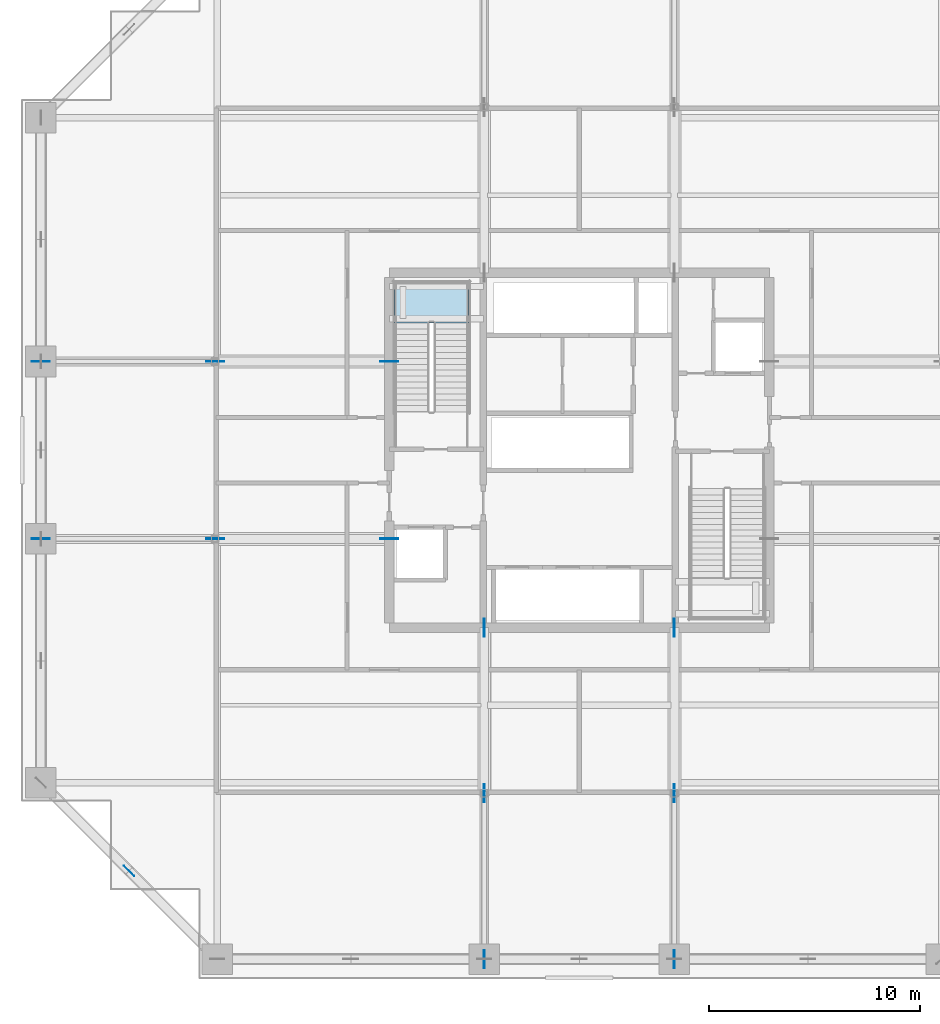
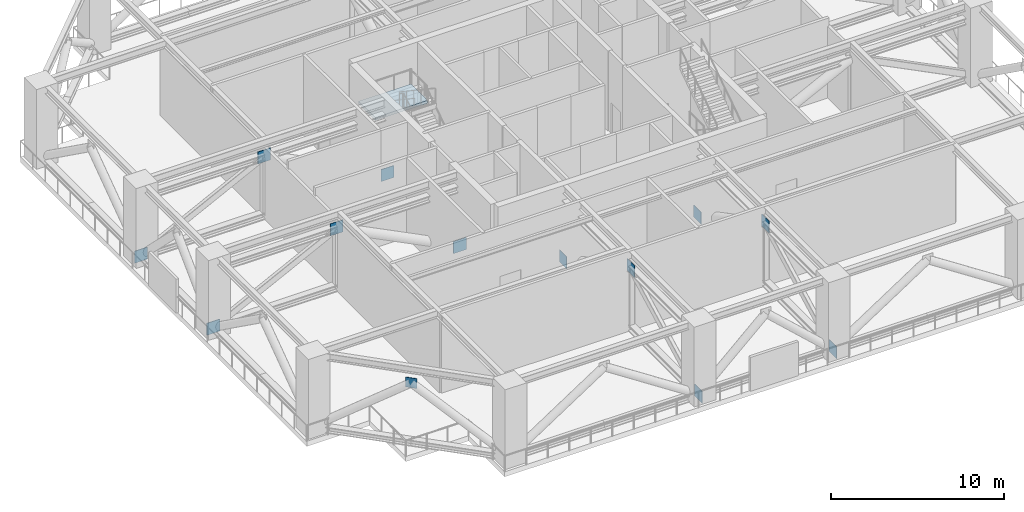
# One storey, part 6 of 21: 13 plates, 1 slab, 1 element without a shape of its own.
"""IFC4 building model written with IfcOpenShell, lengths in metres."""

from ifc_helpers import new_model, si_unit, direction, frame, origin, origin_2d, place, context, subcontext, project, spatial, polyline, rectangle, outline, extrude, source, transform, mapped, material, layer, layer_set, type_object, element, aggregate, save


model = new_model("IFC4")

# Units and contexts
model_context = context("Model", 3, precision=1e-05, world=origin(), true_north=direction((0.0, 1.0)))
body_context = subcontext(model_context, "Body", "Model", "MODEL_VIEW")
ifc_project = project(units=[si_unit("LENGTHUNIT", "METRE"), si_unit("AREAUNIT", "SQUARE_METRE"), si_unit("VOLUMEUNIT", "CUBIC_METRE"), si_unit("PLANEANGLEUNIT", "RADIAN"), si_unit("MASSUNIT", "GRAM", prefix="KILO")], contexts=[model_context])

# Site, building, storey
site_placement = place(None, origin())
site = spatial("IfcSite", under=ifc_project, at=site_placement, CompositionType="ELEMENT")
building_placement = place(site_placement, origin())
building = spatial("IfcBuilding", under=site, at=building_placement, Name="Serunith Strait Residences", CompositionType="ELEMENT")
storey_placement = place(building_placement, frame((0.0, 0.0, 109.199951171875)))
storey = spatial("IfcBuildingStorey", under=building, at=storey_placement, Name="L27", CompositionType="ELEMENT", Elevation=109.199951171875)

# Stair, slab
ifc_material_1 = material(Name="Concrete C50/60", Category="concrete")
stair_type = type_object("IfcStairType", Name="STR-CORE-1", PredefinedType="HALF_TURN_STAIR", material=ifc_material_1)
stair_placement = place(storey_placement, origin())
stair = element("IfcStair", 1, at=stair_placement, inside=storey, type_object=stair_type, Name="L27 Protected Escape Stair ST-1", PredefinedType="HALF_TURN_STAIR")
ifc_layer_1 = layer(ifc_material_1, 0.199951171875, Name="Concrete C50/60")
ifc_layer_set_1 = layer_set([ifc_layer_1], Name="Concrete C50/60")
slab_type = type_object("IfcSlabType", Name="SLB-LAND-200", PredefinedType="LANDING", material=ifc_layer_set_1)
slab_placement = place(storey_placement, frame((0.0, 0.0, 2.800048828125)))
slab = element("IfcSlab", 2, at=slab_placement, type_object=slab_type, Name="ST-1 landing 1", PredefinedType="LANDING", context=body_context, shape_type="SweptSolid", body=[
    extrude(outline(polyline([(27.14990234375, 31.22998046875), (27.14990234375, 33.14990234375), (23.64990234375, 33.14990234375), (23.64990234375, 31.22998046875), (27.14990234375, 31.22998046875)])), origin(), (0.0, 0.0, 1.0), 0.199951171875),
])
aggregate(stair, [slab])

# Plates
ifc_material_2 = material(Name="Steel S460M", Category="steel")
ifc_layer_2 = layer(ifc_material_2, 0.0400390625, Name="Steel S460M")
ifc_layer_set_2 = layer_set([ifc_layer_2], Name="Steel S460M")
plate_type_1 = type_object("IfcPlateType", Name="PLT-GUSSET-40", PredefinedType="USERDEFINED", material=ifc_layer_set_2)
shared_shape_1 = source(origin(), body_context, "Body", "SweptSolid", [
    extrude(rectangle(XDim=0.85009765625, YDim=0.0400390625, at=origin_2d()), origin(), (0.0, 0.0, 1.0), 0.85009765625),
])
for number, where, z_axis, x_axis, name in (
    (3, (27.89990234375, 16.800048828125, -0.175048828125), (0.0, 0.0, 1.0), (0.0, -1.0, 0.0), "L27 Outrigger Gusset Plate ND-01"),
    (4, (27.89990234375, 8.949951171875, 3.965087890625), (0.0, 0.0, 1.0), (0.0, -1.0, 0.0), "L27 Outrigger Gusset Plate ND-01"),
    (5, (27.89990234375, 1.10009765625, -0.175048828125), (0.0, 0.0, 1.0), (0.0, -1.0, 0.0), "L27 Outrigger Gusset Plate ND-01"),
    (6, (36.89990234375, 16.800048828125, -0.175048828125), (0.0, 0.0, 1.0), (0.0, -1.0, 0.0), "L27 Outrigger Gusset Plate ND-01"),
    (7, (36.89990234375, 8.949951171875, 3.965087890625), (0.0, 0.0, 1.0), (0.0, -1.0, 0.0), "L27 Outrigger Gusset Plate ND-01"),
    (8, (36.89990234375, 1.10009765625, -0.175048828125), (0.0, 0.0, 1.0), (0.0, -1.0, 0.0), "L27 Outrigger Gusset Plate ND-01"),
    (9, (23.39990234375, 21.0, -0.175048828125), (0.0, 0.0, 1.0), (-1.0, 0.0, 0.0), "L27 Outrigger Gusset Plate ND-01"),
    (10, (15.14990234375, 21.0, 3.965087890625), (0.0, 0.0, 1.0), (-1.0, 0.0, 0.0), "L27 Outrigger Gusset Plate ND-01"),
    (11, (6.89990234375, 21.0, -0.175048828125), (0.0, 0.0, 1.0), (-1.0, 0.0, 0.0), "L27 Outrigger Gusset Plate ND-01"),
    (12, (23.39990234375, 29.39990234375, -0.175048828125), (0.0, 0.0, 1.0), (-1.0, 0.0, 0.0), "L27 Outrigger Gusset Plate ND-01"),
    (13, (15.14990234375, 29.39990234375, 3.965087890625), (0.0, 0.0, 1.0), (-1.0, 0.0, 0.0), "L27 Outrigger Gusset Plate ND-01"),
    (14, (6.89990234375, 29.39990234375, -0.175048828125), (0.0, 0.0, 1.0), (-1.0, 0.0, 0.0), "L27 Outrigger Gusset Plate ND-01"),
):
    element("IfcPlate", number, at=place(storey_placement, frame(where, z_axis=z_axis, x_axis=x_axis)), inside=storey, type_object=plate_type_1, Name=name, ObjectType="GUSSET_PLATE", PredefinedType="USERDEFINED", context=body_context, shape_type="MappedRepresentation", body=[
        mapped(shared_shape_1, transform((0.0, 0.0, 0.0), scale=1.0)),
    ])
ifc_layer_3 = layer(ifc_material_2, 0.02490234375, Name="Steel S460M")
ifc_layer_set_3 = layer_set([ifc_layer_3], Name="Steel S460M")
plate_type_2 = type_object("IfcPlateType", Name="PLT-CAP-25", PredefinedType="SHEET", material=ifc_layer_set_3)
shared_shape_2 = source(origin(), body_context, "Body", "SweptSolid", [
    extrude(rectangle(XDim=0.699951171875, YDim=0.02490234375, at=origin_2d()), origin(), (0.0, 0.0, 1.0), 0.699951171875),
])
plate_placement = place(storey_placement, frame((11.074951171875, 5.27490234375, 4.0400390625), z_axis=(0.0, 0.0, 1.0), x_axis=(0.707106781187, -0.707106781187, 0.0)))
element("IfcPlate", 15, at=plate_placement, inside=storey, type_object=plate_type_2, Name="L27 Belt Truss Apex Gusset 16", PredefinedType="SHEET", context=body_context, shape_type="MappedRepresentation", body=[
    mapped(shared_shape_2, transform((0.0, 0.0, 0.0), scale=1.0)),
])

save(model, "model.ifc")
